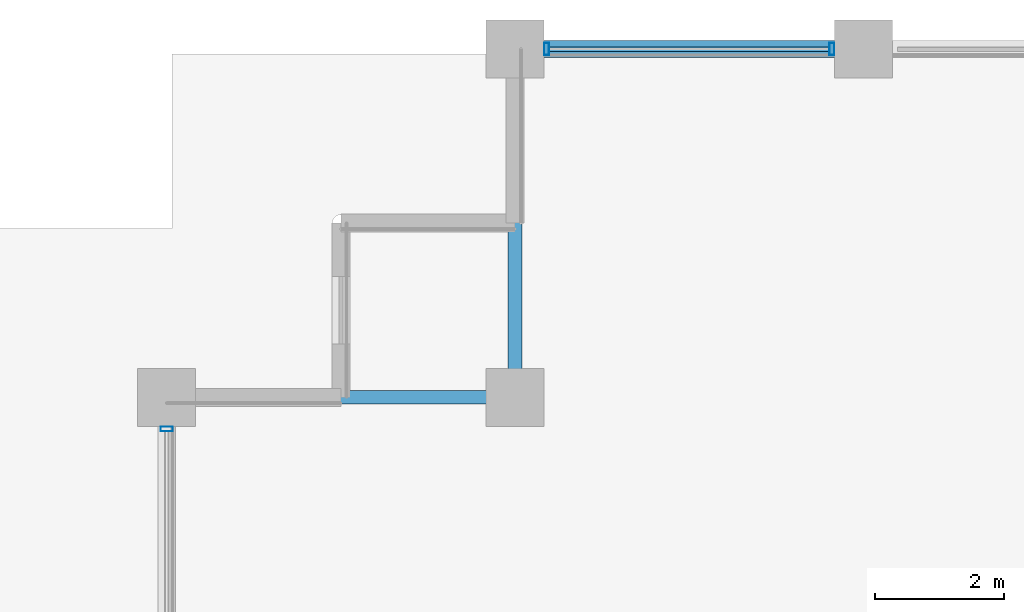
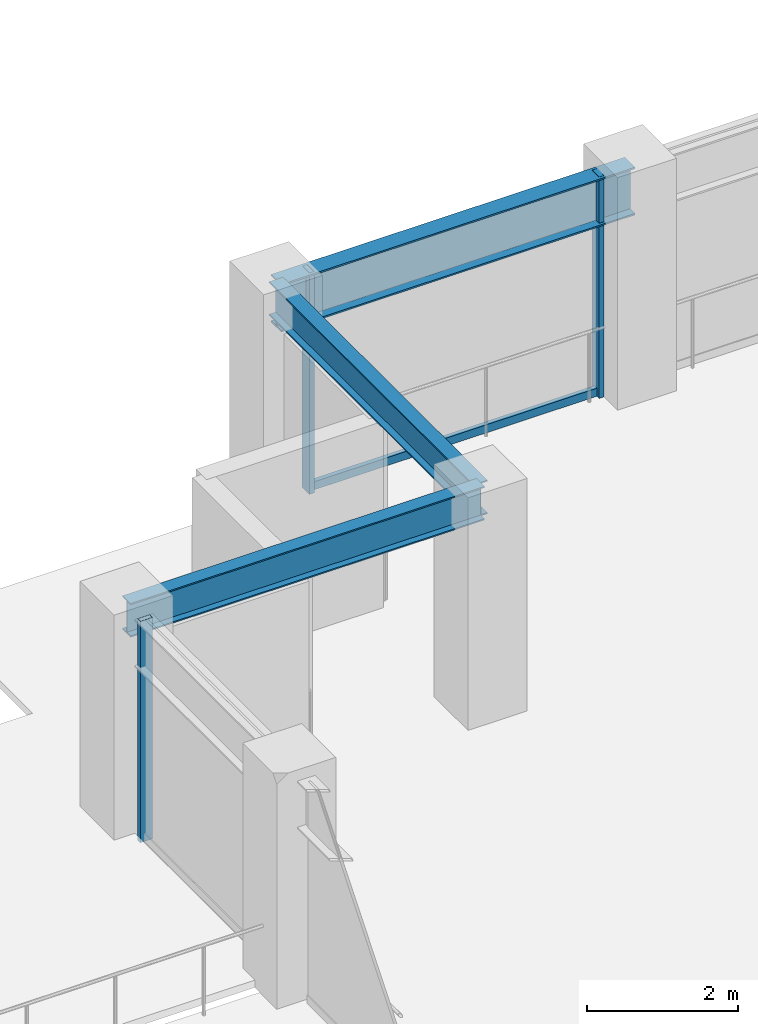
# One storey, part 17 of 36: 4 members, 3 beams, 2 elements without a shape of their own.
"""IFC4 building model written with IfcOpenShell, lengths in metres."""

import ifcopenshell
import ifcopenshell.guid

model = None  # the IFC model being written
_history = None  # IfcOwnerHistory: only IFC2X3 demands one
_inside = {}  # id of a spatial element -> (the spatial element, [elements in it])
_under = {}  # id of a project, library or spatial element -> (it, [spatial elements below it])
_declared = {}  # id of a project -> (the project, [libraries it declares])
_typed = {}  # id of a type object -> (the type object, [elements of that type])
_made_of = {}  # id of a material, layer set ... -> (it, [elements and type objects made of it])


def new_model(schema):
    """Start an empty IFC model of exactly this schema.

    Asked for "IFC4X3", IfcOpenShell would pick the latest addendum, in which some entities
    have other attributes; the version numbers below select the first issue.
    IFC2X3 requires an IfcOwnerHistory on every rooted entity: one is made here for all.
    """
    global model, _history
    if schema == "IFC4X3":
        model = ifcopenshell.file(schema_version=(4, 3, 0, 0))
    else:
        model = ifcopenshell.file(schema=schema)
    _inside.clear()
    _under.clear()
    _declared.clear()
    _typed.clear()
    _made_of.clear()
    _history = None
    if model.schema == "IFC2X3":
        org = make("IfcOrganization", Name="unknown")
        user = make(
            "IfcPersonAndOrganization",
            ThePerson=make("IfcPerson", FamilyName="unknown"),
            TheOrganization=org,
        )
        app = make(
            "IfcApplication",
            ApplicationDeveloper=org,
            Version="unknown",
            ApplicationFullName="unknown",
            ApplicationIdentifier="unknown",
        )
        _history = make(
            "IfcOwnerHistory",
            OwningUser=user,
            OwningApplication=app,
            ChangeAction="ADDED",
            CreationDate=0,
        )
    return model


def make(cls, **values):
    """One entity of the class cls with the attributes given. An attribute that is None is left unset."""
    return model.create_entity(
        cls, **{name: value for name, value in values.items() if value is not None}
    )


def rooted(cls, **values):
    """An entity with a GlobalId (a new one), such as an element, a storey or a relation."""
    return make(cls, GlobalId=ifcopenshell.guid.new(), OwnerHistory=_history, **values)


def si_unit(unit_type, name, prefix=None):
    """IfcSIUnit, for example si_unit("LENGTHUNIT", "METRE", prefix="MILLI")."""
    return make("IfcSIUnit", UnitType=unit_type, Prefix=prefix, Name=name)


def assignment(units):
    """IfcUnitAssignment: the units of a project."""
    return None if units is None else make("IfcUnitAssignment", Units=units)


def point(xyz):
    """IfcCartesianPoint."""
    return None if xyz is None else make("IfcCartesianPoint", Coordinates=xyz)


def direction(xyz):
    """IfcDirection."""
    return None if xyz is None else make("IfcDirection", DirectionRatios=xyz)


def frame(location, z_axis=None, x_axis=None):
    """IfcAxis2Placement3D, a coordinate frame: its origin and axes. An axis left out is left unset."""
    return make(
        "IfcAxis2Placement3D",
        Location=point(location),
        Axis=direction(z_axis),
        RefDirection=direction(x_axis),
    )


def frame_2d(location, x_axis=None):
    """IfcAxis2Placement2D, a coordinate frame in the plane: its origin and x axis."""
    return make(
        "IfcAxis2Placement2D", Location=point(location), RefDirection=direction(x_axis)
    )


def origin():
    """The frame at (0, 0, 0) with its axes left unset."""
    return frame((0.0, 0.0, 0.0))


def origin_2d():
    """The frame at (0, 0) in the plane with its x axis left unset."""
    return frame_2d((0.0, 0.0))


def place(relative_to, where):
    """IfcLocalPlacement: puts the frame where relative to a parent placement (None: the world)."""
    return make(
        "IfcLocalPlacement", PlacementRelTo=relative_to, RelativePlacement=where
    )


def context(
    kind, dimensions, precision=None, world=None, true_north=None, identifier=None
):
    """IfcGeometricRepresentationContext, for example the 3D "Model" context."""
    return make(
        "IfcGeometricRepresentationContext",
        ContextIdentifier=identifier,
        ContextType=kind,
        CoordinateSpaceDimension=dimensions,
        Precision=precision,
        WorldCoordinateSystem=world,
        TrueNorth=true_north,
    )


def subcontext(parent, identifier, kind, view, scale=None):
    """IfcGeometricRepresentationSubContext, for example "Body" below "Model"."""
    return make(
        "IfcGeometricRepresentationSubContext",
        ContextIdentifier=identifier,
        ContextType=kind,
        ParentContext=parent,
        TargetScale=scale,
        TargetView=view,
    )


def project(units=None, contexts=None):
    """IfcProject with its units and contexts."""
    return rooted(
        "IfcProject",
        Name="project",
        RepresentationContexts=contexts,
        UnitsInContext=assignment(units),
    )


def spatial(cls, under=None, at=None, **own):
    """A site, building, storey or space (cls), placed at a placement, below another one or the project."""
    s = rooted(cls, ObjectPlacement=at, **own)
    if under is not None:
        _under.setdefault(under.id(), (under, []))[1].append(s)
    return s


def profile(cls, at=None, kind="AREA", **sizes):
    """A parametric profile (cls). Its sizes go by their IFC names, for example OverallWidth=200.0."""
    return make(cls, ProfileType=kind, Position=at, **sizes)


def hollow_rectangle(**sizes):
    """IfcRectangleHollowProfileDef."""
    return profile("IfcRectangleHollowProfileDef", **sizes)


def i_section(**sizes):
    """IfcIShapeProfileDef."""
    return profile("IfcIShapeProfileDef", **sizes)


def extrude(swept, where, along, depth):
    """IfcExtrudedAreaSolid: the profile swept, set in the frame where, extruded along a direction by depth."""
    return make(
        "IfcExtrudedAreaSolid",
        SweptArea=swept,
        Position=where,
        ExtrudedDirection=direction(along),
        Depth=depth,
    )


def shape(context_of_items, identifier, shape_type, items):
    """IfcShapeRepresentation: the items that make up one representation, for example the "Body"."""
    return make(
        "IfcShapeRepresentation",
        ContextOfItems=context_of_items,
        RepresentationIdentifier=identifier,
        RepresentationType=shape_type,
        Items=items,
    )


def material(Name=None, Category=None):
    """IfcMaterial."""
    return make("IfcMaterial", Name=Name, Category=Category)


def layer(
    of_material, thickness, ventilated=None, Name=None, Category=None, Priority=None
):
    """IfcMaterialLayer: one layer of a wall or slab, of a material (None: an air gap)."""
    return make(
        "IfcMaterialLayer",
        Material=of_material,
        LayerThickness=thickness,
        IsVentilated=ventilated,
        Name=Name,
        Category=Category,
        Priority=Priority,
    )


def layer_set(layers, Name=None):
    """IfcMaterialLayerSet."""
    return make("IfcMaterialLayerSet", MaterialLayers=layers, LayerSetName=Name)


def material_profile(
    of_material, cross_section, Name=None, Category=None, Priority=None
):
    """IfcMaterialProfile: a cross section and its material."""
    return make(
        "IfcMaterialProfile",
        Name=Name,
        Material=of_material,
        Profile=cross_section,
        Priority=Priority,
        Category=Category,
    )


def profile_set(profiles, Name=None, composite=None):
    """IfcMaterialProfileSet."""
    return make(
        "IfcMaterialProfileSet",
        Name=Name,
        MaterialProfiles=profiles,
        CompositeProfile=composite,
    )


def made_of(thing, what):
    """Note that an element or type object is made of a material, layer set ...; save() writes the relation."""
    if what is not None:
        _made_of.setdefault(what.id(), (what, []))[1].append(thing)
    return thing


def type_object(cls, material=None, **own):
    """A type object (cls), such as IfcWallType, which elements share."""
    return made_of(rooted(cls, **own), material)


def element(
    cls,
    number,
    at=None,
    inside=None,
    cuts=None,
    type_object=None,
    material=None,
    context=None,
    identifier="Body",
    shape_type=None,
    held_by="IfcProductDefinitionShape",
    body=None,
    shapes=None,
    **own,
):
    """One element of the class cls, such as IfcWall. Its Tag is "e" and its number.

    at: its placement. inside: the storey or other place that contains it. cuts: it is an
    opening in that element (IfcRelVoidsElement). A single representation is given by context,
    identifier, shape_type and body (its items); several are given by shapes. held_by: the class
    of the entity that holds the representations. save() writes the other relations.
    """
    e = rooted(cls, Tag="e%d" % number, ObjectPlacement=at, **own)
    if body is not None:
        shapes = [shape(context, identifier, shape_type, body)]
    if shapes is not None:
        e.Representation = make(held_by, Representations=shapes)
    if inside is not None:
        _inside.setdefault(inside.id(), (inside, []))[1].append(e)
    if cuts is not None:
        rooted(
            "IfcRelVoidsElement", RelatingBuildingElement=cuts, RelatedOpeningElement=e
        )
    if type_object is not None:
        _typed.setdefault(type_object.id(), (type_object, []))[1].append(e)
    return made_of(e, material)


def aggregate(whole, parts):
    """IfcRelAggregates: a whole, such as a stair, and the parts it consists of."""
    return rooted("IfcRelAggregates", RelatingObject=whole, RelatedObjects=parts)


def save(model, path):
    """Write the relations noted so far, then the file.

    IfcRelAggregates (storeys below a building ...), IfcRelContainedInSpatialStructure (elements
    in a storey), IfcRelDefinesByType, IfcRelAssociatesMaterial and IfcRelDeclares: one each for
    every whole, place, type object, material and project.
    """
    for whole, parts in _under.values():
        aggregate(whole, parts)
    for where, things in _inside.values():
        rooted(
            "IfcRelContainedInSpatialStructure",
            RelatedElements=things,
            RelatingStructure=where,
        )
    for kind, things in _typed.values():
        rooted("IfcRelDefinesByType", RelatedObjects=things, RelatingType=kind)
    for what, things in _made_of.values():
        rooted("IfcRelAssociatesMaterial", RelatedObjects=things, RelatingMaterial=what)
    for by, libraries in _declared.values():
        rooted("IfcRelDeclares", RelatingContext=by, RelatedDefinitions=libraries)
    model.write(path)


model = new_model("IFC4")

# Units and contexts
model_context = context("Model", 3, precision=1e-05, world=origin(), true_north=direction((0.0, 1.0)))
body_context = subcontext(model_context, "Body", "Model", "MODEL_VIEW")
ifc_project = project(units=[si_unit("LENGTHUNIT", "METRE"), si_unit("AREAUNIT", "SQUARE_METRE"), si_unit("VOLUMEUNIT", "CUBIC_METRE"), si_unit("PLANEANGLEUNIT", "RADIAN"), si_unit("MASSUNIT", "GRAM", prefix="KILO")], contexts=[model_context])

# Site, building, storey
site_placement = place(None, origin())
site = spatial("IfcSite", under=ifc_project, at=site_placement, CompositionType="ELEMENT")
building_placement = place(site_placement, origin())
building = spatial("IfcBuilding", under=site, at=building_placement, Name="Surkhivell Harbour Commons", CompositionType="ELEMENT")
storey_placement = place(building_placement, frame((0.0, 0.0, 171.0)))
storey = spatial("IfcBuildingStorey", under=building, at=storey_placement, Name="L44", CompositionType="ELEMENT", Elevation=171.0)

# Beams
ifc_material_1 = material(Name="Steel S355", Category="steel")
ifc_material_profile_1 = material_profile(ifc_material_1, i_section(OverallWidth=0.2119140625, OverallDepth=0.5439453125, WebThickness=0.0126953125, FlangeThickness=0.021240234375, at=origin_2d()), Name="UB533x210x122")
ifc_profile_set_1 = profile_set([ifc_material_profile_1], Name="Steel S355")
beam_type_1 = type_object("IfcBeamType", Name="BM-GRD-533A", PredefinedType="BEAM", material=ifc_profile_set_1)
for number, where, z_axis, x_axis, name in (
    (1, (-27.0, 20.5, 3.298095703125), (1.0, 0.0, 0.0), (0.0, 1.0, 0.0), "L44 Floor Girder (-27.0,20.5)"),
    (2, (-21.60009765625, 20.5, 3.298095703125), (0.0, 1.0, 0.0), (-1.0, 0.0, 0.0), "L44 Floor Girder (-21.6,20.5)"),
):
    element("IfcBeam", number, at=place(storey_placement, frame(where, z_axis=z_axis, x_axis=x_axis)), inside=storey, type_object=beam_type_1, Name=name, PredefinedType="BEAM", context=body_context, shape_type="SweptSolid", body=[
        extrude(i_section(OverallWidth=0.2119140625, OverallDepth=0.5439453125, WebThickness=0.0126953125, FlangeThickness=0.021240234375, at=origin_2d()), origin(), (0.0, 0.0, 1.0), 5.39990234375),
    ])
ifc_material_profile_2 = material_profile(ifc_material_1, i_section(OverallWidth=0.26806640625, OverallDepth=0.77001953125, WebThickness=0.015625, FlangeThickness=0.025390625, at=origin_2d()), Name="UB762x267x197")
ifc_profile_set_2 = profile_set([ifc_material_profile_2], Name="Steel S355")
beam_type_2 = type_object("IfcBeamType", Name="BM-SPN-762", PredefinedType="SPANDREL", material=ifc_profile_set_2)
beam_placement = place(storey_placement, frame((-21.60009765625, 25.89990234375, 3.18505859375), z_axis=(1.0, 0.0, 0.0), x_axis=(0.0, 1.0, 0.0)))
element("IfcBeam", 3, at=beam_placement, inside=storey, type_object=beam_type_2, Name="L44 Tube Spandrel (-21.6,25.9)", PredefinedType="SPANDREL", context=body_context, shape_type="SweptSolid", body=[
    extrude(i_section(OverallWidth=0.26806640625, OverallDepth=0.77001953125, WebThickness=0.015625, FlangeThickness=0.025390625, at=origin_2d()), origin(), (0.0, 0.0, 1.0), 5.400146484375),
])

# Curtain wall, members
ifc_material_2 = material(Name="Anodised pale-metal aluminium and insulated glazing", Category="aluminium")
ifc_layer = layer(ifc_material_2, 0.18994140625)
ifc_layer_set = layer_set([ifc_layer], Name="Anodised pale-metal aluminium and insulated glazing")
curtain_wall_type = type_object("IfcCurtainWallType", Name="CW-SYS-Z3", PredefinedType="NOTDEFINED", material=ifc_layer_set)
curtain_wall_1_placement = place(storey_placement, origin())
curtain_wall_1 = element("IfcCurtainWall", 4, at=curtain_wall_1_placement, inside=storey, type_object=curtain_wall_type, Name="L44 Curtain Wall CW-L44-E07S2", PredefinedType="NOTDEFINED")
ifc_material_3 = material(Name="Anodised pale-metal aluminium alloy 6063-T6", Category="aluminium")
ifc_material_profile_3 = material_profile(ifc_material_3, hollow_rectangle(XDim=0.074951171875, YDim=0.18994140625, WallThickness=0.00390625, at=origin_2d()), Name="ALU-MULL-75x190")
ifc_profile_set_3 = profile_set([ifc_material_profile_3], Name="Anodised pale-metal aluminium alloy 6063-T6")
member_type_1 = type_object("IfcMemberType", Name="CWM-190", PredefinedType="MULLION", material=ifc_profile_set_3)
member_1_placement = place(storey_placement, frame((-16.689453125, 25.89990234375, 0.0), z_axis=(0.0, 0.0, 1.0), x_axis=(-1.0, 0.0, 0.0)))
member_1 = element("IfcMember", 5, at=member_1_placement, type_object=member_type_1, Name="CW-Z3 mullion 3", PredefinedType="MULLION", context=body_context, shape_type="SweptSolid", body=[
    extrude(hollow_rectangle(XDim=0.074951171875, YDim=0.18994140625, WallThickness=0.00390625, at=origin_2d()), origin(), (0.0, 0.0, 1.0), 3.570068359375),
])
member_2_placement = place(storey_placement, frame((-21.110595703125, 25.89990234375, 0.0), z_axis=(0.0, 0.0, 1.0), x_axis=(-1.0, 0.0, 0.0)))
member_2 = element("IfcMember", 6, at=member_2_placement, type_object=member_type_1, Name="CW-Z3 mullion 4", PredefinedType="MULLION", context=body_context, shape_type="SweptSolid", body=[
    extrude(hollow_rectangle(XDim=0.074951171875, YDim=0.18994140625, WallThickness=0.00390625, at=origin_2d()), origin(), (0.0, 0.0, 1.0), 3.570068359375),
])

# Curtain wall, member
curtain_wall_2_placement = place(storey_placement, origin())
curtain_wall_2 = element("IfcCurtainWall", 7, at=curtain_wall_2_placement, inside=storey, type_object=curtain_wall_type, Name="L44 Curtain Wall CW-L44-E12B", PredefinedType="NOTDEFINED")
member_3_placement = place(storey_placement, frame((-27.0, 20.010498046875, 0.0), z_axis=(0.0, 0.0, 1.0), x_axis=(0.0, 1.0, 0.0)))
member_3 = element("IfcMember", 8, at=member_3_placement, type_object=member_type_1, Name="CW-Z3 mullion 4", PredefinedType="MULLION", context=body_context, shape_type="SweptSolid", body=[
    extrude(hollow_rectangle(XDim=0.074951171875, YDim=0.18994140625, WallThickness=0.00390625, at=origin_2d()), origin(), (0.0, 0.0, 1.0), 3.570068359375),
])
aggregate(curtain_wall_2, [member_3])

# Member
ifc_material_4 = material(Name="Champagne anodised aluminium alloy 6063-T6", Category="aluminium")
ifc_material_profile_4 = material_profile(ifc_material_4, hollow_rectangle(XDim=0.070068359375, YDim=0.1298828125, WallThickness=0.00341796875, at=origin_2d()), Name="ALU-TRAN-70x130")
ifc_profile_set_4 = profile_set([ifc_material_profile_4], Name="Champagne anodised aluminium alloy 6063-T6")
member_type_2 = type_object("IfcMemberType", Name="CWT-130", PredefinedType="USERDEFINED", material=ifc_profile_set_4)
member_4_placement = place(storey_placement, frame((-16.72705078125, 25.89990234375, 0.06494140625), z_axis=(-1.0, 0.0, 0.0), x_axis=(0.0, -1.0, 0.0)))
member_4 = element("IfcMember", 9, at=member_4_placement, type_object=member_type_2, Name="CW-Z3 transom 3.1", ObjectType="TRANSOM", PredefinedType="USERDEFINED", context=body_context, shape_type="SweptSolid", body=[
    extrude(hollow_rectangle(XDim=0.070068359375, YDim=0.1298828125, WallThickness=0.00341796875, at=origin_2d()), origin(), (0.0, 0.0, 1.0), 4.345947265625),
])

aggregate(curtain_wall_1, [member_1, member_2, member_4])

save(model, "model.ifc")
